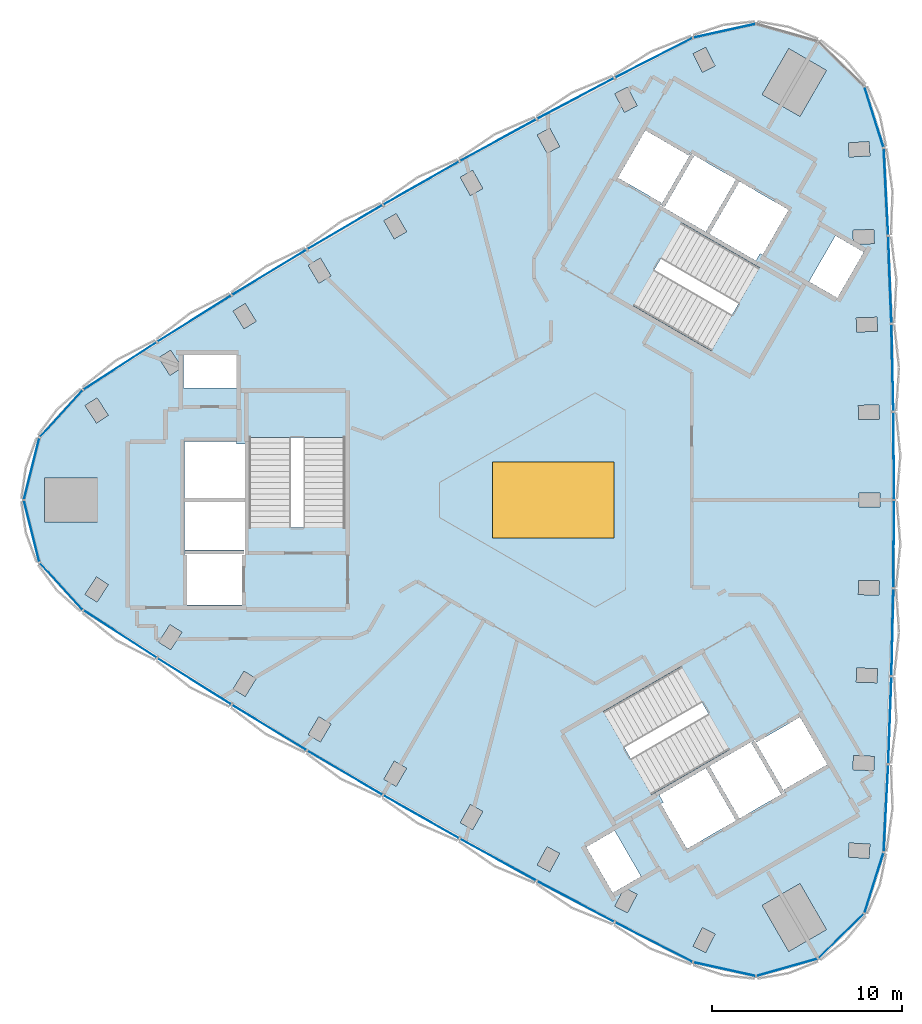
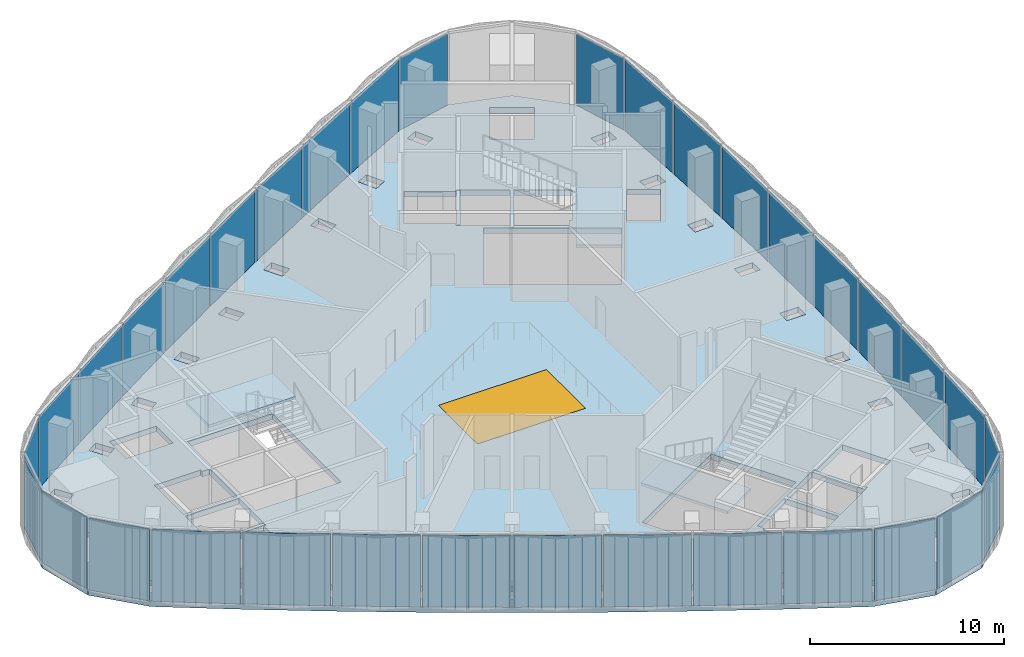
# One storey, part 6 of 15: 34 plates, 4 slabs, 1 window, 1 opening, 6 elements without a shape of their own.
"""IFC4 building model written with IfcOpenShell, lengths in metres."""

from ifc_helpers import new_model, si_unit, direction, frame, origin, origin_2d, place, context, subcontext, project, spatial, polyline, rectangle, outline, extrude, material, layer, layer_set, type_object, element, fill, aggregate, save


model = new_model("IFC4")

# Units and contexts
model_context = context("Model", 3, precision=1e-05, world=origin(), true_north=direction((0.0, 1.0)))
body_context = subcontext(model_context, "Body", "Model", "MODEL_VIEW")
ifc_project = project(units=[si_unit("LENGTHUNIT", "METRE"), si_unit("AREAUNIT", "SQUARE_METRE"), si_unit("VOLUMEUNIT", "CUBIC_METRE"), si_unit("PLANEANGLEUNIT", "RADIAN"), si_unit("MASSUNIT", "GRAM", prefix="KILO")], contexts=[model_context])

# Site, building, storey
site_placement = place(None, origin())
site = spatial("IfcSite", under=ifc_project, at=site_placement, CompositionType="ELEMENT")
building_placement = place(site_placement, origin())
building = spatial("IfcBuilding", under=site, at=building_placement, Name="Tamra Quay Hotel Tower", CompositionType="ELEMENT")
storey_placement = place(building_placement, frame((0.0, 0.0, 216.39990234375)))
storey = spatial("IfcBuildingStorey", under=building, at=storey_placement, Name="L54", CompositionType="ELEMENT", Elevation=216.39990234375)

# Stair, slab
ifc_material_1 = material(Name="Exit stair 2200 34 risers 147.1 going 299")
stair_type = type_object("IfcStairType", Name="Exit stair 2200 34 risers 147.1 going 299", PredefinedType="HALF_TURN_STAIR", material=ifc_material_1)
stair_1_placement = place(storey_placement, origin())
stair_1 = element("IfcStair", 1, at=stair_1_placement, inside=storey, type_object=stair_type, Name="L54 Exit stair ST3", PredefinedType="HALF_TURN_STAIR")
ifc_material_2 = material(Name="Concrete M70", Category="concrete")
ifc_layer_1 = layer(ifc_material_2, 0.175048828125)
ifc_layer_set_1 = layer_set([ifc_layer_1], Name="Concrete M70 stair landing 180")
slab_type_1 = type_object("IfcSlabType", Name="Concrete M70 stair landing 180", PredefinedType="LANDING", material=ifc_layer_set_1)
slab_1_placement = place(storey_placement, frame((0.0, 0.0, 2.3251953125)))
slab_1 = element("IfcSlab", 2, at=slab_1_placement, type_object=slab_type_1, Name="ST3 landing 1", PredefinedType="LANDING", context=body_context, shape_type="SweptSolid", body=[
    extrude(outline(polyline([(-10.932373046875, 3.283935546875), (-10.932373046875, 5.679931640625), (-16.09130859375, 5.679931640625), (-16.09130859375, 3.283935546875), (-10.932373046875, 3.283935546875)])), origin(), (0.0, 0.0, 1.0), 0.1748046875),
])
aggregate(stair_1, [slab_1])

stair_2_placement = place(storey_placement, origin())
stair_2 = element("IfcStair", 3, at=stair_2_placement, inside=storey, type_object=stair_type, Name="L54 Exit stair ST1", PredefinedType="HALF_TURN_STAIR")
slab_2_placement = place(storey_placement, frame((0.0, 0.0, 2.3251953125)))
slab_2 = element("IfcSlab", 4, at=slab_2_placement, type_object=slab_type_1, Name="ST1 landing 1", PredefinedType="LANDING", context=body_context, shape_type="SweptSolid", body=[
    extrude(outline(polyline([(8.31005859375, 7.82568359375), (10.385009765625, 6.627685546875), (12.964599609375, 11.095458984375), (10.8896484375, 12.29345703125), (8.31005859375, 7.82568359375)])), origin(), (0.0, 0.0, 1.0), 0.1748046875),
])
aggregate(stair_2, [slab_2])

stair_3_placement = place(storey_placement, origin())
stair_3 = element("IfcStair", 5, at=stair_3_placement, inside=storey, type_object=stair_type, Name="L54 Exit stair ST2", PredefinedType="HALF_TURN_STAIR")
slab_3_placement = place(storey_placement, frame((0.0, 0.0, 2.3251953125)))
slab_3 = element("IfcSlab", 6, at=slab_3_placement, type_object=slab_type_1, Name="ST2 landing 1", PredefinedType="LANDING", context=body_context, shape_type="SweptSolid", body=[
    extrude(outline(polyline([(2.622314453125, -11.109619140625), (0.547119140625, -12.3076171875), (3.126708984375, -16.775390625), (5.20166015625, -15.577392578125), (2.622314453125, -11.109619140625)])), origin(), (0.0, 0.0, 1.0), 0.1748046875),
])
aggregate(stair_3, [slab_3])

# Slab, opening, window
ifc_material_3 = material(Name="Concrete M60", Category="concrete")
ifc_layer_2 = layer(ifc_material_3, 0.35009765625)
ifc_layer_set_2 = layer_set([ifc_layer_2], Name="FLOOR SLAB PT 350")
slab_type_2 = type_object("IfcSlabType", Name="FLOOR SLAB PT 350", PredefinedType="FLOOR", material=ifc_layer_set_2)
slab_4_placement = place(storey_placement, frame((0.0, 0.0, -0.349853515625)))
slab_4 = element("IfcSlab", 7, at=slab_4_placement, inside=storey, type_object=slab_type_2, Name="SLAB-L54", PredefinedType="FLOOR", context=body_context, shape_type="SweptSolid", body=[
    extrude(outline(polyline([(17.662109375, 13.9287109375), (17.832763671875, 9.287353515625), (17.935302734375, 4.64453125), (17.969482421875, 0.0), (17.935302734375, -4.64453125), (17.832763671875, -9.287353515625), (17.662109375, -13.9287109375), (17.42333984375, -18.56689453125), (16.39990234375, -21.810302734375), (13.960205078125, -24.1796875), (10.688232421875, -25.10791015625), (7.36767578125, -24.37255859375), (3.231689453125, -22.26025390625), (-0.873291015625, -20.087158203125), (-4.9453125, -17.8544921875), (-8.984619140625, -15.56201171875), (-12.98974609375, -13.210205078125), (-16.95947265625, -10.7998046875), (-20.893798828125, -8.331298828125), (-24.791015625, -5.8056640625), (-27.088134765625, -3.297607421875), (-27.92041015625, 0.0), (-27.088134765625, 3.297607421875), (-24.791015625, 5.8056640625), (-20.893798828125, 8.331298828125), (-16.95947265625, 10.7998046875), (-12.98974609375, 13.210205078125), (-8.984619140625, 15.56201171875), (-4.9453125, 17.8544921875), (-0.873291015625, 20.087158203125), (3.231689453125, 22.26025390625), (7.36767578125, 24.37255859375), (10.688232421875, 25.10791015625), (13.960205078125, 24.1796875), (16.39990234375, 21.810302734375), (17.42333984375, 18.56689453125), (17.662109375, 13.9287109375)]), holes=[polyline([(-12.927001953125, -12.373779296875), (-12.283203125, -12.758544921875), (-11.718994140625, -11.814208984375), (-12.36279296875, -11.4296875), (-12.927001953125, -12.373779296875)]), polyline([(-16.885009765625, -9.964599609375), (-16.24658203125, -10.3583984375), (-15.669189453125, -9.422119140625), (-16.3076171875, -9.0283203125), (-16.885009765625, -9.964599609375)]), polyline([(-20.806640625, -7.497314453125), (-20.17431640625, -7.900634765625), (-19.5830078125, -6.972900390625), (-20.21533203125, -6.56982421875), (-20.806640625, -7.497314453125)]), polyline([(-24.08740234375, -4.05419921875), (-24.69189453125, -4.972900390625), (-24.0654296875, -5.38525390625), (-23.460693359375, -4.46630859375), (-24.08740234375, -4.05419921875)]), polyline([(-16.3173828125, -2.85498046875), (-19.4072265625, -2.85498046875), (-19.4072265625, -2.89306640625), (-19.307373046875, -2.89306640625), (-19.307373046875, -5.544921875), (-16.417236328125, -5.544921875), (-16.417236328125, -2.89306640625), (-16.3173828125, -2.89306640625), (-16.3173828125, -2.85498046875)]), polyline([(-19.417236328125, -2.64501953125), (-16.307373046875, -2.64501953125), (-16.307373046875, -2.89306640625), (-16.26708984375, -2.89306640625), (-16.26708984375, -0.10498046875), (-19.45751953125, -0.10498046875), (-19.45751953125, -2.89306640625), (-19.417236328125, -2.89306640625), (-19.417236328125, -2.64501953125)]), polyline([(-24.0205078125, 1.14990234375), (-26.8203125, 1.14990234375), (-26.8203125, -1.14990234375), (-24.0205078125, -1.14990234375), (-24.0205078125, 1.14990234375)]), polyline([(-16.26708984375, 2.945068359375), (-16.707275390625, 2.945068359375), (-16.707275390625, 3.09521484375), (-19.45751953125, 3.09521484375), (-19.45751953125, 0.10498046875), (-16.26708984375, 0.10498046875), (-16.26708984375, 2.945068359375)]), polyline([(-10.9873046875, -1.455078125), (-10.9873046875, 5.625), (-16.036376953125, 5.625), (-16.036376953125, -1.455078125), (-10.9873046875, -1.455078125)]), polyline([(-23.460693359375, 4.46630859375), (-24.0654296875, 5.38525390625), (-24.69189453125, 4.972900390625), (-24.08740234375, 4.05419921875), (-23.460693359375, 4.46630859375)]), polyline([(-16.71728515625, 7.64501953125), (-19.50732421875, 7.64501953125), (-19.50732421875, 5.9150390625), (-16.71728515625, 5.9150390625), (-16.71728515625, 7.64501953125)]), polyline([(-20.17431640625, 7.900634765625), (-20.806640625, 7.497314453125), (-20.21533203125, 6.56982421875), (-19.5830078125, 6.972900390625), (-20.17431640625, 7.900634765625)]), polyline([(-16.24658203125, 10.3583984375), (-16.885009765625, 9.964599609375), (-16.3076171875, 9.0283203125), (-15.669189453125, 9.422119140625), (-16.24658203125, 10.3583984375)]), polyline([(-12.283203125, 12.758544921875), (-12.927001953125, 12.373779296875), (-12.36279296875, 11.4296875), (-11.718994140625, 11.814208984375), (-12.283203125, 12.758544921875)]), polyline([(-7.73486328125, 14.147216796875), (-8.284912109375, 15.099853515625), (-8.9345703125, 14.724853515625), (-8.384521484375, 13.772216796875), (-7.73486328125, 14.147216796875)]), polyline([(7.8623046875, -22.55078125), (7.368896484375, -23.533935546875), (8.039306640625, -23.870361328125), (8.53271484375, -22.88720703125), (7.8623046875, -22.55078125)]), polyline([(3.2451171875, -21.421875), (3.910400390625, -21.767822265625), (4.41796875, -20.7919921875), (3.752685546875, -20.44580078125), (3.2451171875, -21.421875)]), polyline([(1.73779296875, -18.300048828125), (3.1328125, -20.71630859375), (4.631103515625, -19.851318359375), (3.236083984375, -17.43505859375), (1.73779296875, -18.300048828125)]), polyline([(-0.3251953125, -18.281005859375), (-0.847412109375, -19.2490234375), (-0.187255859375, -19.60498046875), (0.334716796875, -18.636962890625), (-0.3251953125, -18.281005859375)]), polyline([(-4.90771484375, -17.016845703125), (-4.252685546875, -17.382080078125), (-3.716796875, -16.42138671875), (-4.3720703125, -16.05615234375), (-4.90771484375, -17.016845703125)]), polyline([(5.5830078125, -15.560302734375), (5.80322265625, -15.94140625), (5.673095703125, -16.0166015625), (7.04833984375, -18.398193359375), (9.6376953125, -16.903076171875), (8.042724609375, -14.14013671875), (5.5830078125, -15.560302734375)]), polyline([(-8.384521484375, -13.772216796875), (-8.9345703125, -14.724853515625), (-8.284912109375, -15.099853515625), (-7.73486328125, -14.147216796875), (-8.384521484375, -13.772216796875)]), polyline([(6.75390625, -8.78759765625), (0.622314453125, -12.32763671875), (3.146728515625, -16.7001953125), (9.2783203125, -13.160400390625), (6.75390625, -8.78759765625)]), polyline([(4.2333984375, 10.242919921875), (10.364990234375, 6.702880859375), (12.889404296875, 11.075439453125), (6.758056640625, 14.615478515625), (4.2333984375, 10.242919921875)]), polyline([(7.41796875, 18.138427734375), (5.863037109375, 15.445068359375), (5.648193359375, 15.569091796875), (5.628173828125, 15.5341796875), (8.04248046875, 14.140380859375), (9.6376953125, 16.903076171875), (7.22314453125, 18.297119140625), (7.203125, 18.262451171875), (7.41796875, 18.138427734375)]), polyline([(-3.716796875, 16.42138671875), (-4.252685546875, 17.382080078125), (-4.90771484375, 17.016845703125), (-4.3720703125, 16.05615234375), (-3.716796875, 16.42138671875)]), polyline([(5.68603515625, 15.55859375), (7.231201171875, 18.234619140625), (7.1982421875, 18.253662109375), (7.148193359375, 18.1669921875), (4.8515625, 19.4931640625), (3.406494140625, 16.990234375), (5.703125, 15.664306640625), (5.6533203125, 15.57763671875), (5.68603515625, 15.55859375)]), polyline([(-0.187255859375, 19.60498046875), (-0.847412109375, 19.2490234375), (-0.3251953125, 18.281005859375), (0.334716796875, 18.636962890625), (-0.187255859375, 19.60498046875)]), polyline([(4.41796875, 20.7919921875), (3.910400390625, 21.767822265625), (3.2451171875, 21.421875), (3.752685546875, 20.44580078125), (4.41796875, 20.7919921875)]), polyline([(8.53271484375, 22.88720703125), (8.039306640625, 23.870361328125), (7.368896484375, 23.533935546875), (7.8623046875, 22.55078125), (8.53271484375, 22.88720703125)]), polyline([(12.414306640625, -23.802001953125), (14.406005859375, -22.652099609375), (13.006103515625, -20.227294921875), (11.014404296875, -21.377197265625), (12.414306640625, -23.802001953125)]), polyline([(15.554443359375, -18.8330078125), (16.652587890625, -18.8974609375), (16.696533203125, -18.148681640625), (15.598388671875, -18.08447265625), (15.554443359375, -18.8330078125)]), polyline([(12.214111328125, -15.369384765625), (11.999267578125, -15.493408203125), (10.4443359375, -12.800048828125), (10.6591796875, -12.676025390625), (10.63916015625, -12.64111328125), (8.224609375, -14.03515625), (9.819580078125, -16.798095703125), (12.234130859375, -15.404052734375), (12.214111328125, -15.369384765625)]), polyline([(16.896240234375, -14.2705078125), (16.92919921875, -13.52099609375), (15.830322265625, -13.472900390625), (15.79736328125, -14.22216796875), (16.896240234375, -14.2705078125)]), polyline([(10.631103515625, -12.70361328125), (12.176025390625, -15.379638671875), (12.208984375, -15.360595703125), (12.1591796875, -15.274169921875), (14.455810546875, -13.947998046875), (13.0107421875, -11.4453125), (10.714111328125, -12.771240234375), (10.6640625, -12.6845703125), (10.631103515625, -12.70361328125)]), polyline([(15.97265625, -9.6083984375), (17.072265625, -9.640380859375), (17.093994140625, -8.890625), (15.994384765625, -8.85888671875), (15.97265625, -9.6083984375)]), polyline([(17.1796875, -5.00830078125), (17.19091796875, -4.25830078125), (16.091064453125, -4.24169921875), (16.079833984375, -4.99169921875), (17.1796875, -5.00830078125)]), polyline([(16.119384765625, -0.375), (17.219482421875, -0.375), (17.219482421875, 0.375), (16.119384765625, 0.375), (16.119384765625, -0.375)]), polyline([(16.091064453125, 4.24169921875), (17.19091796875, 4.25830078125), (17.1796875, 5.00830078125), (16.079833984375, 4.99169921875), (16.091064453125, 4.24169921875)]), polyline([(17.093994140625, 8.890625), (17.072265625, 9.640380859375), (15.97265625, 9.6083984375), (15.994384765625, 8.85888671875), (17.093994140625, 8.890625)]), polyline([(14.9794921875, 10.655029296875), (16.37451171875, 13.0712890625), (14.876220703125, 13.936279296875), (13.481201171875, 11.52001953125), (14.9794921875, 10.655029296875)]), polyline([(15.830322265625, 13.472900390625), (16.92919921875, 13.52099609375), (16.896240234375, 14.2705078125), (15.79736328125, 14.22216796875), (15.830322265625, 13.472900390625)]), polyline([(10.904052734375, 12.996337890625), (11.0341796875, 12.92138671875), (12.4091796875, 15.302978515625), (9.819580078125, 16.798095703125), (8.224365234375, 14.035400390625), (10.68408203125, 12.615234375), (10.904052734375, 12.996337890625)]), polyline([(15.598388671875, 18.08447265625), (16.696533203125, 18.148681640625), (16.652587890625, 18.8974609375), (15.554443359375, 18.8330078125), (15.598388671875, 18.08447265625)]), polyline([(13.006103515625, 20.227294921875), (14.406005859375, 22.652099609375), (12.414306640625, 23.802001953125), (11.014404296875, 21.377197265625), (13.006103515625, 20.227294921875)])]), origin(), (0.0, 0.0, 1.0), 0.349853515625),
])
opening_placement = place(slab_4_placement, origin())
opening = element("IfcOpeningElement", 8, at=opening_placement, cuts=slab_4, Name="Opening SK1-6410", PredefinedType="OPENING", context=body_context, shape_type="SweptSolid", body=[
    extrude(rectangle(XDim=6.409912109375, YDim=4.0, at=origin_2d()), origin(), (0.0, 0.0, 1.0), 0.349853515625),
])
ifc_material_4 = material(Name="Fire-rated laminated glass in steel frame", Category="steel")
window_type = type_object("IfcWindowType", Name="ATRIUM SKYLIGHT 6410X4000", PartitioningType="SINGLE_PANEL", PredefinedType="SKYLIGHT", material=ifc_material_4)
window_placement = place(opening_placement, frame((0.0, 0.0, 0.2998046875)))
window = element("IfcWindow", 9, at=window_placement, inside=storey, type_object=window_type, Name="SK1-6410", OverallHeight=4.0, OverallWidth=6.409912109375, PartitioningType="SINGLE_PANEL", PredefinedType="SKYLIGHT", context=body_context, shape_type="SweptSolid", body=[
    extrude(rectangle(XDim=6.409912109375, YDim=4.0, at=origin_2d()), origin(), (0.0, 0.0, 1.0), 0.050048828125),
])
fill(opening, window)

# Curtain wall, plates
ifc_material_5 = material(Name="Aluminium 6063 anodised dark grey", Category="aluminium")
curtain_wall_type_1 = type_object("IfcCurtainWallType", Name="CW1 CURTAIN WALL", PredefinedType="NOTDEFINED", material=ifc_material_5)
curtain_wall_1_placement = place(storey_placement, origin())
curtain_wall_1 = element("IfcCurtainWall", 10, at=curtain_wall_1_placement, inside=storey, type_object=curtain_wall_type_1, Name="CW1 east face L54", PredefinedType="NOTDEFINED")
ifc_material_6 = material(Name="Glass clear laminated low-iron", Category="glass")
ifc_layer_3 = layer(ifc_material_6, 0.028076171875)
ifc_layer_set_3 = layer_set([ifc_layer_3], Name="GLASS PANEL CW1 Z5")
plate_type_1 = type_object("IfcPlateType", Name="GLASS PANEL CW1 Z5", PredefinedType="CURTAIN_PANEL", material=ifc_layer_set_3)
plate_1_placement = place(storey_placement, frame((17.542724609375, -16.247802734375, 0.0), z_axis=(0.0, 0.0, 1.0), x_axis=(0.051403550754, 0.998677963595, 0.0)))
plate_1 = element("IfcPlate", 11, at=plate_1_placement, type_object=plate_type_1, Name="CW1 glass L54.E.1", PredefinedType="CURTAIN_PANEL", context=body_context, shape_type="SweptSolid", body=[
    extrude(rectangle(XDim=4.544189453125, YDim=0.028076171875, at=origin_2d()), origin(), (0.0, 0.0, 1.0), 4.510009765625),
])
plate_2_placement = place(storey_placement, frame((17.747314453125, -11.608154296875, 0.0), z_axis=(0.0, 0.0, 1.0), x_axis=(0.036744877024, 0.999324678977, 0.0)))
plate_2 = element("IfcPlate", 12, at=plate_2_placement, type_object=plate_type_1, Name="CW1 glass L54.E.2", PredefinedType="CURTAIN_PANEL", context=body_context, shape_type="SweptSolid", body=[
    extrude(rectangle(XDim=4.544677734375, YDim=0.028076171875, at=origin_2d()), origin(), (0.0, 0.0, 1.0), 4.510009765625),
])
plate_3_placement = place(storey_placement, frame((17.884033203125, -6.9658203125, 0.0), z_axis=(0.0, 0.0, 1.0), x_axis=(0.022062941514, 0.99975658368, 0.0)))
plate_3 = element("IfcPlate", 13, at=plate_3_placement, type_object=plate_type_1, Name="CW1 glass L54.E.3", PredefinedType="CURTAIN_PANEL", context=body_context, shape_type="SweptSolid", body=[
    extrude(rectangle(XDim=4.5439453125, YDim=0.028076171875, at=origin_2d()), origin(), (0.0, 0.0, 1.0), 4.510009765625),
])
plate_4_placement = place(storey_placement, frame((17.9521484375, -2.322265625, 0.0), z_axis=(0.0, 0.0, 1.0), x_axis=(0.007361709443, 0.99997290225, 0.0)))
plate_4 = element("IfcPlate", 14, at=plate_4_placement, type_object=plate_type_1, Name="CW1 glass L54.E.4", PredefinedType="CURTAIN_PANEL", context=body_context, shape_type="SweptSolid", body=[
    extrude(rectangle(XDim=4.544677734375, YDim=0.028076171875, at=origin_2d()), origin(), (0.0, 0.0, 1.0), 4.510009765625),
])
plate_5_placement = place(storey_placement, frame((17.9521484375, 2.322265625, 0.0), z_axis=(0.0, 0.0, 1.0), x_axis=(-0.007361709443, 0.99997290225, 0.0)))
plate_5 = element("IfcPlate", 15, at=plate_5_placement, type_object=plate_type_1, Name="CW1 glass L54.E.5", PredefinedType="CURTAIN_PANEL", context=body_context, shape_type="SweptSolid", body=[
    extrude(rectangle(XDim=4.544677734375, YDim=0.028076171875, at=origin_2d()), origin(), (0.0, 0.0, 1.0), 4.510009765625),
])
plate_6_placement = place(storey_placement, frame((17.884033203125, 6.9658203125, 0.0), z_axis=(0.0, 0.0, 1.0), x_axis=(-0.022062941514, 0.99975658368, 0.0)))
plate_6 = element("IfcPlate", 16, at=plate_6_placement, type_object=plate_type_1, Name="CW1 glass L54.E.6", PredefinedType="CURTAIN_PANEL", context=body_context, shape_type="SweptSolid", body=[
    extrude(rectangle(XDim=4.5439453125, YDim=0.028076171875, at=origin_2d()), origin(), (0.0, 0.0, 1.0), 4.510009765625),
])
plate_7_placement = place(storey_placement, frame((17.747314453125, 11.608154296875, 0.0), z_axis=(0.0, 0.0, 1.0), x_axis=(-0.036744877024, 0.999324678977, 0.0)))
plate_7 = element("IfcPlate", 17, at=plate_7_placement, type_object=plate_type_1, Name="CW1 glass L54.E.7", PredefinedType="CURTAIN_PANEL", context=body_context, shape_type="SweptSolid", body=[
    extrude(rectangle(XDim=4.544677734375, YDim=0.028076171875, at=origin_2d()), origin(), (0.0, 0.0, 1.0), 4.510009765625),
])
plate_8_placement = place(storey_placement, frame((17.542724609375, 16.247802734375, 0.0), z_axis=(0.0, 0.0, 1.0), x_axis=(-0.051403550754, 0.998677963595, 0.0)))
plate_8 = element("IfcPlate", 18, at=plate_8_placement, type_object=plate_type_1, Name="CW1 glass L54.E.8", PredefinedType="CURTAIN_PANEL", context=body_context, shape_type="SweptSolid", body=[
    extrude(rectangle(XDim=4.544189453125, YDim=0.028076171875, at=origin_2d()), origin(), (0.0, 0.0, 1.0), 4.510009765625),
])
plate_9_placement = place(storey_placement, frame((16.91162109375, 20.1884765625, 0.0), z_axis=(0.0, 0.0, 1.0), x_axis=(-0.30090299279, 0.95365475353, 0.0)))
plate_9 = element("IfcPlate", 19, at=plate_9_placement, type_object=plate_type_1, Name="CW1 glass L54.E.9", PredefinedType="CURTAIN_PANEL", context=body_context, shape_type="SweptSolid", body=[
    extrude(rectangle(XDim=3.301025390625, YDim=0.028076171875, at=origin_2d()), origin(), (0.0, 0.0, 1.0), 4.510009765625),
])
plate_10_placement = place(storey_placement, frame((9.028076171875, 24.740234375, 0.0), z_axis=(0.0, 0.0, 1.0), x_axis=(-0.976340739392, -0.216237740934, 0.0)))
plate_10 = element("IfcPlate", 20, at=plate_10_placement, type_object=plate_type_1, Name="CW1 glass L54.E.12", PredefinedType="CURTAIN_PANEL", context=body_context, shape_type="SweptSolid", body=[
    extrude(rectangle(XDim=3.301025390625, YDim=0.028076171875, at=origin_2d()), origin(), (0.0, 0.0, 1.0), 4.510009765625),
])
aggregate(curtain_wall_1, [plate_1, plate_2, plate_3, plate_4, plate_5, plate_6, plate_7, plate_8, plate_9, plate_10])

curtain_wall_type_2 = type_object("IfcCurtainWallType", Name="CW2 CURTAIN WALL", PredefinedType="NOTDEFINED", material=ifc_material_5)
curtain_wall_2_placement = place(storey_placement, origin())
curtain_wall_2 = element("IfcCurtainWall", 21, at=curtain_wall_2_placement, inside=storey, type_object=curtain_wall_type_2, Name="CW2 north-west face L54", PredefinedType="NOTDEFINED")
ifc_layer_4 = layer(ifc_material_6, 0.028076171875)
ifc_layer_set_4 = layer_set([ifc_layer_4], Name="GLASS PANEL CW2 Z5")
plate_type_2 = type_object("IfcPlateType", Name="GLASS PANEL CW2 Z5", PredefinedType="CURTAIN_PANEL", material=ifc_layer_set_4)
plate_11_placement = place(storey_placement, frame((5.2998046875, 23.31640625, 0.0), z_axis=(0.0, 0.0, 1.0), x_axis=(-0.89058226205, -0.454822201, 0.0)))
plate_11 = element("IfcPlate", 22, at=plate_11_placement, type_object=plate_type_2, Name="CW2 glass L54.NW.1", PredefinedType="CURTAIN_PANEL", context=body_context, shape_type="SweptSolid", body=[
    extrude(rectangle(XDim=4.544189453125, YDim=0.028076171875, at=origin_2d()), origin(), (0.0, 0.0, 1.0), 4.510009765625),
])
plate_12_placement = place(storey_placement, frame((1.17919921875, 21.173583984375, 0.0), z_axis=(0.0, 0.0, 1.0), x_axis=(-0.883812997135, -0.467840342526, 0.0)))
plate_12 = element("IfcPlate", 23, at=plate_12_placement, type_object=plate_type_2, Name="CW2 glass L54.NW.2", PredefinedType="CURTAIN_PANEL", context=body_context, shape_type="SweptSolid", body=[
    extrude(rectangle(XDim=4.544677734375, YDim=0.028076171875, at=origin_2d()), origin(), (0.0, 0.0, 1.0), 4.510009765625),
])
plate_13_placement = place(storey_placement, frame((-2.909423828125, 18.970947265625, 0.0), z_axis=(0.0, 0.0, 1.0), x_axis=(-0.876846069825, -0.480771224007, 0.0)))
plate_13 = element("IfcPlate", 24, at=plate_13_placement, type_object=plate_type_2, Name="CW2 glass L54.NW.3", PredefinedType="CURTAIN_PANEL", context=body_context, shape_type="SweptSolid", body=[
    extrude(rectangle(XDim=4.5439453125, YDim=0.028076171875, at=origin_2d()), origin(), (0.0, 0.0, 1.0), 4.510009765625),
])
plate_14_placement = place(storey_placement, frame((-6.965087890625, 16.708251953125, 0.0), z_axis=(0.0, 0.0, 1.0), x_axis=(-0.869682791166, -0.493611023732, 0.0)))
plate_14 = element("IfcPlate", 25, at=plate_14_placement, type_object=plate_type_2, Name="CW2 glass L54.NW.4", PredefinedType="CURTAIN_PANEL", context=body_context, shape_type="SweptSolid", body=[
    extrude(rectangle(XDim=4.544677734375, YDim=0.028076171875, at=origin_2d()), origin(), (0.0, 0.0, 1.0), 4.510009765625),
])
plate_15_placement = place(storey_placement, frame((-10.9873046875, 14.385986328125, 0.0), z_axis=(0.0, 0.0, 1.0), x_axis=(-0.862321081723, -0.506361878518, 0.0)))
plate_15 = element("IfcPlate", 26, at=plate_15_placement, type_object=plate_type_2, Name="CW2 glass L54.NW.5", PredefinedType="CURTAIN_PANEL", context=body_context, shape_type="SweptSolid", body=[
    extrude(rectangle(XDim=4.544677734375, YDim=0.028076171875, at=origin_2d()), origin(), (0.0, 0.0, 1.0), 4.510009765625),
])
plate_16_placement = place(storey_placement, frame((-14.974609375, 12.0048828125, 0.0), z_axis=(0.0, 0.0, 1.0), x_axis=(-0.854783128311, -0.518985359673, 0.0)))
plate_16 = element("IfcPlate", 27, at=plate_16_placement, type_object=plate_type_2, Name="CW2 glass L54.NW.6", PredefinedType="CURTAIN_PANEL", context=body_context, shape_type="SweptSolid", body=[
    extrude(rectangle(XDim=4.5439453125, YDim=0.028076171875, at=origin_2d()), origin(), (0.0, 0.0, 1.0), 4.510009765625),
])
plate_17_placement = place(storey_placement, frame((-18.926513671875, 9.565673828125, 0.0), z_axis=(0.0, 0.0, 1.0), x_axis=(-0.847068120111, -0.531484336451, 0.0)))
plate_17 = element("IfcPlate", 28, at=plate_17_placement, type_object=plate_type_2, Name="CW2 glass L54.NW.7", PredefinedType="CURTAIN_PANEL", context=body_context, shape_type="SweptSolid", body=[
    extrude(rectangle(XDim=4.544677734375, YDim=0.028076171875, at=origin_2d()), origin(), (0.0, 0.0, 1.0), 4.510009765625),
])
plate_18_placement = place(storey_placement, frame((-22.84228515625, 7.068603515625, 0.0), z_axis=(0.0, 0.0, 1.0), x_axis=(-0.839178711296, -0.543855762595, 0.0)))
plate_18 = element("IfcPlate", 29, at=plate_18_placement, type_object=plate_type_2, Name="CW2 glass L54.NW.8", PredefinedType="CURTAIN_PANEL", context=body_context, shape_type="SweptSolid", body=[
    extrude(rectangle(XDim=4.544189453125, YDim=0.028076171875, at=origin_2d()), origin(), (0.0, 0.0, 1.0), 4.510009765625),
])
plate_19_placement = place(storey_placement, frame((-25.939697265625, 4.551513671875, 0.0), z_axis=(0.0, 0.0, 1.0), x_axis=(-0.675437746601, -0.737417012596, 0.0)))
plate_19 = element("IfcPlate", 30, at=plate_19_placement, type_object=plate_type_2, Name="CW2 glass L54.NW.9", PredefinedType="CURTAIN_PANEL", context=body_context, shape_type="SweptSolid", body=[
    extrude(rectangle(XDim=3.301025390625, YDim=0.028076171875, at=origin_2d()), origin(), (0.0, 0.0, 1.0), 4.510009765625),
])
plate_20_placement = place(storey_placement, frame((-27.50439453125, 1.64892578125, 0.0), z_axis=(0.0, 0.0, 1.0), x_axis=(-0.244676516252, -0.969604766075, 0.0)))
plate_20 = element("IfcPlate", 31, at=plate_20_placement, type_object=plate_type_2, Name="CW2 glass L54.NW.10", PredefinedType="CURTAIN_PANEL", context=body_context, shape_type="SweptSolid", body=[
    extrude(rectangle(XDim=3.301025390625, YDim=0.028076171875, at=origin_2d()), origin(), (0.0, 0.0, 1.0), 4.510009765625),
])
plate_21_placement = place(storey_placement, frame((-27.50439453125, -1.64892578125, 0.0), z_axis=(0.0, 0.0, 1.0), x_axis=(0.244676516252, -0.969604766075, 0.0)))
plate_21 = element("IfcPlate", 32, at=plate_21_placement, type_object=plate_type_2, Name="CW2 glass L54.NW.11", PredefinedType="CURTAIN_PANEL", context=body_context, shape_type="SweptSolid", body=[
    extrude(rectangle(XDim=3.301025390625, YDim=0.028076171875, at=origin_2d()), origin(), (0.0, 0.0, 1.0), 4.510009765625),
])
plate_22_placement = place(storey_placement, frame((-25.939697265625, -4.551513671875, 0.0), z_axis=(0.0, 0.0, 1.0), x_axis=(0.675437746601, -0.737417012596, 0.0)))
plate_22 = element("IfcPlate", 33, at=plate_22_placement, type_object=plate_type_2, Name="CW2 glass L54.NW.12", PredefinedType="CURTAIN_PANEL", context=body_context, shape_type="SweptSolid", body=[
    extrude(rectangle(XDim=3.301025390625, YDim=0.028076171875, at=origin_2d()), origin(), (0.0, 0.0, 1.0), 4.510009765625),
])
aggregate(curtain_wall_2, [plate_11, plate_12, plate_13, plate_14, plate_15, plate_16, plate_17, plate_18, plate_19, plate_20, plate_21, plate_22])

curtain_wall_type_3 = type_object("IfcCurtainWallType", Name="CW3 CURTAIN WALL", PredefinedType="NOTDEFINED", material=ifc_material_5)
curtain_wall_3_placement = place(storey_placement, origin())
curtain_wall_3 = element("IfcCurtainWall", 34, at=curtain_wall_3_placement, inside=storey, type_object=curtain_wall_type_3, Name="CW3 south-west face L54", PredefinedType="NOTDEFINED")
ifc_layer_5 = layer(ifc_material_6, 0.028076171875)
ifc_layer_set_5 = layer_set([ifc_layer_5], Name="GLASS PANEL CW3 Z5")
plate_type_3 = type_object("IfcPlateType", Name="GLASS PANEL CW3 Z5", PredefinedType="CURTAIN_PANEL", material=ifc_layer_set_5)
plate_23_placement = place(storey_placement, frame((-22.84228515625, -7.068603515625, 0.0), z_axis=(0.0, 0.0, 1.0), x_axis=(0.839178711296, -0.543855762595, 0.0)))
plate_23 = element("IfcPlate", 35, at=plate_23_placement, type_object=plate_type_3, Name="CW3 glass L54.SW.1", PredefinedType="CURTAIN_PANEL", context=body_context, shape_type="SweptSolid", body=[
    extrude(rectangle(XDim=4.544189453125, YDim=0.028076171875, at=origin_2d()), origin(), (0.0, 0.0, 1.0), 4.510009765625),
])
plate_24_placement = place(storey_placement, frame((-18.926513671875, -9.565673828125, 0.0), z_axis=(0.0, 0.0, 1.0), x_axis=(0.847068120111, -0.531484336451, 0.0)))
plate_24 = element("IfcPlate", 36, at=plate_24_placement, type_object=plate_type_3, Name="CW3 glass L54.SW.2", PredefinedType="CURTAIN_PANEL", context=body_context, shape_type="SweptSolid", body=[
    extrude(rectangle(XDim=4.544677734375, YDim=0.028076171875, at=origin_2d()), origin(), (0.0, 0.0, 1.0), 4.510009765625),
])
plate_25_placement = place(storey_placement, frame((-14.974609375, -12.0048828125, 0.0), z_axis=(0.0, 0.0, 1.0), x_axis=(0.854783128311, -0.518985359673, 0.0)))
plate_25 = element("IfcPlate", 37, at=plate_25_placement, type_object=plate_type_3, Name="CW3 glass L54.SW.3", PredefinedType="CURTAIN_PANEL", context=body_context, shape_type="SweptSolid", body=[
    extrude(rectangle(XDim=4.5439453125, YDim=0.028076171875, at=origin_2d()), origin(), (0.0, 0.0, 1.0), 4.510009765625),
])
plate_26_placement = place(storey_placement, frame((-10.9873046875, -14.385986328125, 0.0), z_axis=(0.0, 0.0, 1.0), x_axis=(0.862321081723, -0.506361878518, 0.0)))
plate_26 = element("IfcPlate", 38, at=plate_26_placement, type_object=plate_type_3, Name="CW3 glass L54.SW.4", PredefinedType="CURTAIN_PANEL", context=body_context, shape_type="SweptSolid", body=[
    extrude(rectangle(XDim=4.544677734375, YDim=0.028076171875, at=origin_2d()), origin(), (0.0, 0.0, 1.0), 4.510009765625),
])
plate_27_placement = place(storey_placement, frame((-6.965087890625, -16.708251953125, 0.0), z_axis=(0.0, 0.0, 1.0), x_axis=(0.869682791166, -0.493611023732, 0.0)))
plate_27 = element("IfcPlate", 39, at=plate_27_placement, type_object=plate_type_3, Name="CW3 glass L54.SW.5", PredefinedType="CURTAIN_PANEL", context=body_context, shape_type="SweptSolid", body=[
    extrude(rectangle(XDim=4.544677734375, YDim=0.028076171875, at=origin_2d()), origin(), (0.0, 0.0, 1.0), 4.510009765625),
])
plate_28_placement = place(storey_placement, frame((-2.909423828125, -18.970947265625, 0.0), z_axis=(0.0, 0.0, 1.0), x_axis=(0.876846069825, -0.480771224007, 0.0)))
plate_28 = element("IfcPlate", 40, at=plate_28_placement, type_object=plate_type_3, Name="CW3 glass L54.SW.6", PredefinedType="CURTAIN_PANEL", context=body_context, shape_type="SweptSolid", body=[
    extrude(rectangle(XDim=4.5439453125, YDim=0.028076171875, at=origin_2d()), origin(), (0.0, 0.0, 1.0), 4.510009765625),
])
plate_29_placement = place(storey_placement, frame((1.17919921875, -21.173583984375, 0.0), z_axis=(0.0, 0.0, 1.0), x_axis=(0.883812997135, -0.467840342526, 0.0)))
plate_29 = element("IfcPlate", 41, at=plate_29_placement, type_object=plate_type_3, Name="CW3 glass L54.SW.7", PredefinedType="CURTAIN_PANEL", context=body_context, shape_type="SweptSolid", body=[
    extrude(rectangle(XDim=4.544677734375, YDim=0.028076171875, at=origin_2d()), origin(), (0.0, 0.0, 1.0), 4.510009765625),
])
plate_30_placement = place(storey_placement, frame((5.2998046875, -23.31640625, 0.0), z_axis=(0.0, 0.0, 1.0), x_axis=(0.89058226205, -0.454822201, 0.0)))
plate_30 = element("IfcPlate", 42, at=plate_30_placement, type_object=plate_type_3, Name="CW3 glass L54.SW.8", PredefinedType="CURTAIN_PANEL", context=body_context, shape_type="SweptSolid", body=[
    extrude(rectangle(XDim=4.544189453125, YDim=0.028076171875, at=origin_2d()), origin(), (0.0, 0.0, 1.0), 4.510009765625),
])
plate_31_placement = place(storey_placement, frame((9.028076171875, -24.740234375, 0.0), z_axis=(0.0, 0.0, 1.0), x_axis=(0.976340739392, -0.216237740934, 0.0)))
plate_31 = element("IfcPlate", 43, at=plate_31_placement, type_object=plate_type_3, Name="CW3 glass L54.SW.9", PredefinedType="CURTAIN_PANEL", context=body_context, shape_type="SweptSolid", body=[
    extrude(rectangle(XDim=3.301025390625, YDim=0.028076171875, at=origin_2d()), origin(), (0.0, 0.0, 1.0), 4.510009765625),
])
plate_32_placement = place(storey_placement, frame((12.32421875, -24.643798828125, 0.0), z_axis=(0.0, 0.0, 1.0), x_axis=(0.962040617177, 0.272906304254, 0.0)))
plate_32 = element("IfcPlate", 44, at=plate_32_placement, type_object=plate_type_3, Name="CW3 glass L54.SW.10", PredefinedType="CURTAIN_PANEL", context=body_context, shape_type="SweptSolid", body=[
    extrude(rectangle(XDim=3.301025390625, YDim=0.028076171875, at=origin_2d()), origin(), (0.0, 0.0, 1.0), 4.510009765625),
])
plate_33_placement = place(storey_placement, frame((15.18017578125, -22.9951171875, 0.0), z_axis=(0.0, 0.0, 1.0), x_axis=(0.717364100925, 0.696698461821, 0.0)))
plate_33 = element("IfcPlate", 45, at=plate_33_placement, type_object=plate_type_3, Name="CW3 glass L54.SW.11", PredefinedType="CURTAIN_PANEL", context=body_context, shape_type="SweptSolid", body=[
    extrude(rectangle(XDim=3.301025390625, YDim=0.028076171875, at=origin_2d()), origin(), (0.0, 0.0, 1.0), 4.510009765625),
])
plate_34_placement = place(storey_placement, frame((16.91162109375, -20.1884765625, 0.0), z_axis=(0.0, 0.0, 1.0), x_axis=(0.30090299279, 0.95365475353, 0.0)))
plate_34 = element("IfcPlate", 46, at=plate_34_placement, type_object=plate_type_3, Name="CW3 glass L54.SW.12", PredefinedType="CURTAIN_PANEL", context=body_context, shape_type="SweptSolid", body=[
    extrude(rectangle(XDim=3.301025390625, YDim=0.028076171875, at=origin_2d()), origin(), (0.0, 0.0, 1.0), 4.510009765625),
])
aggregate(curtain_wall_3, [plate_23, plate_24, plate_25, plate_26, plate_27, plate_28, plate_29, plate_30, plate_31, plate_32, plate_33, plate_34])

save(model, "model.ifc")
